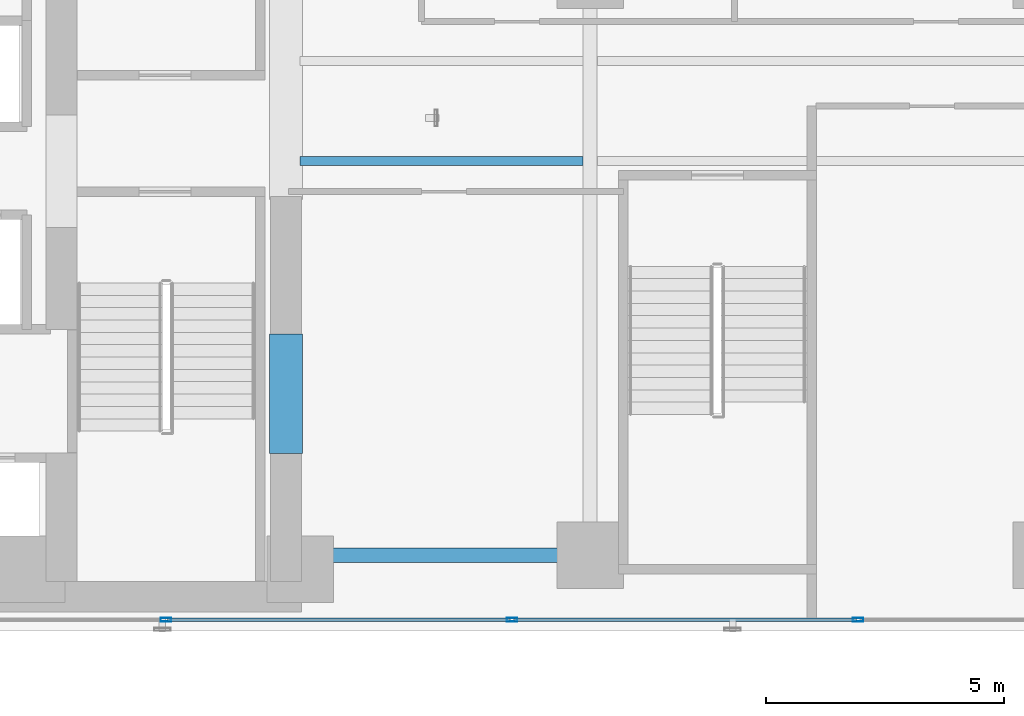
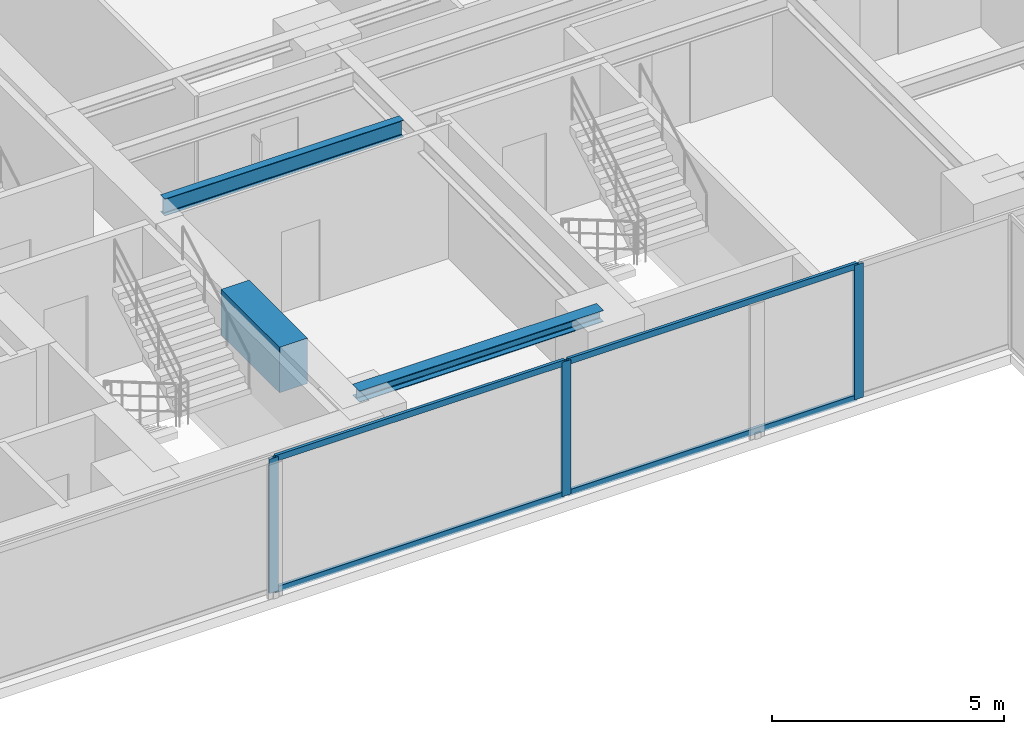
# One storey, part 4 of 28: 7 members, 3 beams, 1 element without a shape of its own.
"""IFC4 building model written with IfcOpenShell, lengths in metres."""

from ifc_helpers import new_model, si_unit, direction, frame, origin, origin_with_axes, origin_2d, place, context, subcontext, project, spatial, rectangle, hollow_rectangle, i_section, extrude, source, transform, mapped, material, layer, layer_set, material_profile, profile_set, type_object, element, aggregate, save


model = new_model("IFC4")

# Units and contexts
model_context = context("Model", 3, precision=1e-05, world=origin(), true_north=direction((0.0, 1.0)))
body_context = subcontext(model_context, "Body", "Model", "MODEL_VIEW")
ifc_project = project(units=[si_unit("LENGTHUNIT", "METRE"), si_unit("AREAUNIT", "SQUARE_METRE"), si_unit("VOLUMEUNIT", "CUBIC_METRE"), si_unit("PLANEANGLEUNIT", "RADIAN"), si_unit("MASSUNIT", "GRAM", prefix="KILO")], contexts=[model_context])

# Site, building, storey
site_placement = place(None, origin())
site = spatial("IfcSite", under=ifc_project, at=site_placement, CompositionType="ELEMENT")
building_placement = place(site_placement, origin())
building = spatial("IfcBuilding", under=site, at=building_placement, Name="Kolvaren Waterfront Exchange", CompositionType="ELEMENT")
storey_placement = place(building_placement, frame((0.0, 0.0, 103.10009765625)))
storey = spatial("IfcBuildingStorey", under=building, at=storey_placement, Name="L26", CompositionType="ELEMENT", Elevation=103.10009765625)

# Beams
ifc_material_1 = material(Name="Steel S355", Category="steel")
ifc_material_profile_1 = material_profile(ifc_material_1, i_section(OverallWidth=0.300048828125, OverallDepth=0.300048828125, WebThickness=0.010986328125, FlangeThickness=0.01904296875, FilletRadius=0.027099609375, at=origin_2d()), Name="HEB300")
ifc_profile_set_1 = profile_set([ifc_material_profile_1], Name="Steel S355")
beam_type_1 = type_object("IfcBeamType", Name="STR-BM-HEB300", PredefinedType="SPANDREL", material=ifc_profile_set_1)
beam_1_placement = place(storey_placement, frame((21.125, 5.199951171875, 3.389892578125), z_axis=(1.0, 0.0, 0.0), x_axis=(0.0, 1.0, 0.0)))
element("IfcBeam", 1, at=beam_1_placement, inside=storey, type_object=beam_type_1, Name="L26 east-arm spandrel S1", PredefinedType="SPANDREL", context=body_context, shape_type="SweptSolid", body=[
    extrude(i_section(OverallWidth=0.300048828125, OverallDepth=0.300048828125, WebThickness=0.010986328125, FlangeThickness=0.01904296875, FilletRadius=0.027099609375, at=origin_2d()), origin(), (0.0, 0.0, 1.0), 6.074951171875),
])
ifc_material_profile_2 = material_profile(ifc_material_1, i_section(OverallWidth=0.18994140625, OverallDepth=0.449951171875, WebThickness=0.009521484375, FlangeThickness=0.0146484375, FilletRadius=0.02099609375, at=origin_2d()), Name="IPE450")
ifc_profile_set_2 = profile_set([ifc_material_profile_2], Name="Steel S355")
beam_type_2 = type_object("IfcBeamType", Name="STR-BM-IPE450", PredefinedType="JOIST", material=ifc_profile_set_2)
beam_2_placement = place(storey_placement, frame((21.10009765625, 13.5, 3.31494140625), z_axis=(1.0, 0.0, 0.0), x_axis=(0.0, 1.0, 0.0)))
element("IfcBeam", 2, at=beam_2_placement, inside=storey, type_object=beam_type_2, Name="L26 east-arm composite joist 1A", PredefinedType="JOIST", context=body_context, shape_type="SweptSolid", body=[
    extrude(i_section(OverallWidth=0.18994140625, OverallDepth=0.449951171875, WebThickness=0.009521484375, FlangeThickness=0.0146484375, FilletRadius=0.02099609375, at=origin_2d()), origin(), (0.0, 0.0, 1.0), 5.947998046875),
])
ifc_material_2 = material(Name="Concrete C70/85", Category="concrete")
ifc_material_profile_3 = material_profile(ifc_material_2, rectangle(XDim=0.699951171875, YDim=1.199951171875, at=origin_2d()), Name="RC-CB-1200x700")
ifc_profile_set_3 = profile_set([ifc_material_profile_3], Name="Concrete C70/85")
beam_type_3 = type_object("IfcBeamType", Name="STR-CB-1200", PredefinedType="SPANDREL", material=ifc_profile_set_3)
beam_3_placement = place(storey_placement, frame((20.800048828125, 7.340087890625, 2.93994140625), z_axis=(0.0, 1.0, 0.0), x_axis=(-1.0, 0.0, 0.0)))
element("IfcBeam", 3, at=beam_3_placement, inside=storey, type_object=beam_type_3, Name="L26 core coupling beam 1", PredefinedType="SPANDREL", context=body_context, shape_type="SweptSolid", body=[
    extrude(rectangle(XDim=0.699951171875, YDim=1.199951171875, at=origin_2d()), origin(), (0.0, 0.0, 1.0), 2.52001953125),
])

# Curtain wall, members
ifc_material_3 = material(Name="Anodised bronze aluminium 6063-T6", Category="aluminium")
ifc_layer = layer(ifc_material_3, 0.219970703125, Name="Anodised bronze aluminium 6063-T6")
ifc_layer_set = layer_set([ifc_layer], Name="Anodised bronze aluminium 6063-T6")
curtain_wall_type = type_object("IfcCurtainWallType", Name="ARC-CW-SYS1", PredefinedType="USERDEFINED", material=ifc_layer_set)
curtain_wall_placement = place(storey_placement, origin())
curtain_wall = element("IfcCurtainWall", 4, at=curtain_wall_placement, inside=storey, type_object=curtain_wall_type, Name="L26 stick curtain wall CW1 (CW-L26-S)", ObjectType="STICK CURTAIN WALL", PredefinedType="USERDEFINED")
ifc_material_4 = material(Name="Anodised aluminium 6063-T6", Category="aluminium")
ifc_material_profile_4 = material_profile(ifc_material_4, hollow_rectangle(XDim=0.080078125, YDim=0.219970703125, WallThickness=0.0048828125, at=origin_2d()), Name="ALU-MUL-220x80x5")
ifc_profile_set_4 = profile_set([ifc_material_profile_4], Name="Anodised aluminium 6063-T6")
member_type_1 = type_object("IfcMemberType", Name="ARC-CWM-220", PredefinedType="MULLION", material=ifc_profile_set_4)
shared_shape_1 = source(origin_with_axes(), body_context, "Body", "SweptSolid", [
    extrude(hollow_rectangle(XDim=0.080078125, YDim=0.219970703125, WallThickness=0.0048828125, at=origin_2d()), origin(), (0.0, 0.0, 1.0), 3.539794921875),
])
member_1_placement = place(storey_placement, frame((18.271484375, 3.840087890625, 0.0), z_axis=(0.0, 0.0, 1.0), x_axis=(0.0, 1.0, 0.0)))
member_1 = element("IfcMember", 5, at=member_1_placement, type_object=member_type_1, Name="CW1 mullion 3", PredefinedType="MULLION", context=body_context, shape_type="MappedRepresentation", body=[
    mapped(shared_shape_1, transform((0.0, 0.0, 0.0), x_axis=(1.0, 0.0, 0.0), y_axis=(0.0, 1.0, 0.0), z_axis=(0.0, 0.0, 1.0), scale=1.0)),
])
member_2_placement = place(storey_placement, frame((25.55712890625, 3.840087890625, 0.0), z_axis=(0.0, 0.0, 1.0), x_axis=(0.0, 1.0, 0.0)))
member_2 = element("IfcMember", 6, at=member_2_placement, type_object=member_type_1, Name="CW1 mullion 4", PredefinedType="MULLION", context=body_context, shape_type="MappedRepresentation", body=[
    mapped(shared_shape_1, transform((0.0, 0.0, 0.0), x_axis=(1.0, 0.0, 0.0), y_axis=(0.0, 1.0, 0.0), z_axis=(0.0, 0.0, 1.0), scale=1.0)),
])
member_3_placement = place(storey_placement, frame((32.8427734375, 3.840087890625, 0.0), z_axis=(0.0, 0.0, 1.0), x_axis=(0.0, 1.0, 0.0)))
member_3 = element("IfcMember", 7, at=member_3_placement, type_object=member_type_1, Name="CW1 mullion 5", PredefinedType="MULLION", context=body_context, shape_type="MappedRepresentation", body=[
    mapped(shared_shape_1, transform((0.0, 0.0, 0.0), x_axis=(1.0, 0.0, 0.0), y_axis=(0.0, 1.0, 0.0), z_axis=(0.0, 0.0, 1.0), scale=1.0)),
])
ifc_material_profile_5 = material_profile(ifc_material_4, hollow_rectangle(XDim=0.074951171875, YDim=0.159912109375, WallThickness=0.00439453125, at=origin_2d()), Name="ALU-TRN-160x75x4.5")
ifc_profile_set_5 = profile_set([ifc_material_profile_5], Name="Anodised aluminium 6063-T6")
member_type_2 = type_object("IfcMemberType", Name="ARC-CWT-160", PredefinedType="USERDEFINED", material=ifc_profile_set_5)
shared_shape_2 = source(origin_with_axes(), body_context, "Body", "SweptSolid", [
    extrude(hollow_rectangle(XDim=0.074951171875, YDim=0.159912109375, WallThickness=0.00439453125, at=origin_2d()), origin(), (0.0, 0.0, 1.0), 7.205810546875),
])
member_4_placement = place(storey_placement, frame((25.59716796875, 3.840087890625, 0.037353515625), z_axis=(1.0, 0.0, 0.0), x_axis=(0.0, 1.0, 0.0)))
member_4 = element("IfcMember", 8, at=member_4_placement, type_object=member_type_2, Name="CW1 transom 4.1", ObjectType="TRANSOM", PredefinedType="USERDEFINED", context=body_context, shape_type="MappedRepresentation", body=[
    mapped(shared_shape_2, transform((0.0, 0.0, 0.0), x_axis=(1.0, 0.0, 0.0), y_axis=(0.0, 1.0, 0.0), z_axis=(0.0, 0.0, 1.0), scale=1.0)),
])
member_5_placement = place(storey_placement, frame((25.59716796875, 3.840087890625, 3.50244140625), z_axis=(1.0, 0.0, 0.0), x_axis=(0.0, 1.0, 0.0)))
member_5 = element("IfcMember", 9, at=member_5_placement, type_object=member_type_2, Name="CW1 transom 4.2", ObjectType="TRANSOM", PredefinedType="USERDEFINED", context=body_context, shape_type="MappedRepresentation", body=[
    mapped(shared_shape_2, transform((0.0, 0.0, 0.0), x_axis=(1.0, 0.0, 0.0), y_axis=(0.0, 1.0, 0.0), z_axis=(0.0, 0.0, 1.0), scale=1.0)),
])
shared_shape_3 = source(origin_with_axes(), body_context, "Body", "SweptSolid", [
    extrude(hollow_rectangle(XDim=0.074951171875, YDim=0.159912109375, WallThickness=0.00439453125, at=origin_2d()), origin(), (0.0, 0.0, 1.0), 7.20556640625),
])
member_6_placement = place(storey_placement, frame((18.3115234375, 3.840087890625, 0.037353515625), z_axis=(1.0, 0.0, 0.0), x_axis=(0.0, 1.0, 0.0)))
member_6 = element("IfcMember", 10, at=member_6_placement, type_object=member_type_2, Name="CW1 transom 3.1", ObjectType="TRANSOM", PredefinedType="USERDEFINED", context=body_context, shape_type="MappedRepresentation", body=[
    mapped(shared_shape_3, transform((0.0, 0.0, 0.0), x_axis=(1.0, 0.0, 0.0), y_axis=(0.0, 1.0, 0.0), z_axis=(0.0, 0.0, 1.0), scale=1.0)),
])
member_7_placement = place(storey_placement, frame((18.3115234375, 3.840087890625, 3.50244140625), z_axis=(1.0, 0.0, 0.0), x_axis=(0.0, 1.0, 0.0)))
member_7 = element("IfcMember", 11, at=member_7_placement, type_object=member_type_2, Name="CW1 transom 3.2", ObjectType="TRANSOM", PredefinedType="USERDEFINED", context=body_context, shape_type="MappedRepresentation", body=[
    mapped(shared_shape_3, transform((0.0, 0.0, 0.0), x_axis=(1.0, 0.0, 0.0), y_axis=(0.0, 1.0, 0.0), z_axis=(0.0, 0.0, 1.0), scale=1.0)),
])
aggregate(curtain_wall, [member_1, member_2, member_3, member_6, member_7, member_4, member_5])

save(model, "model.ifc")
